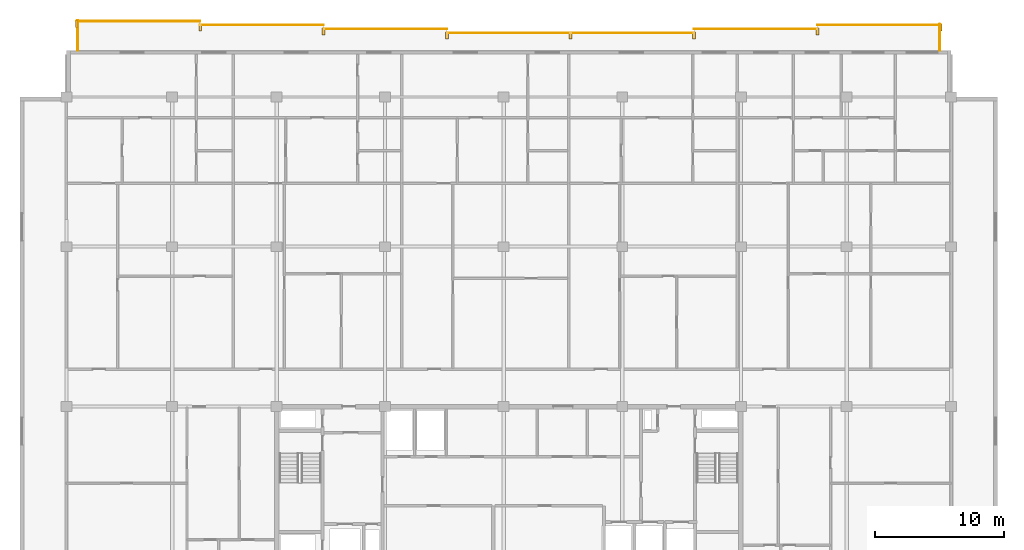
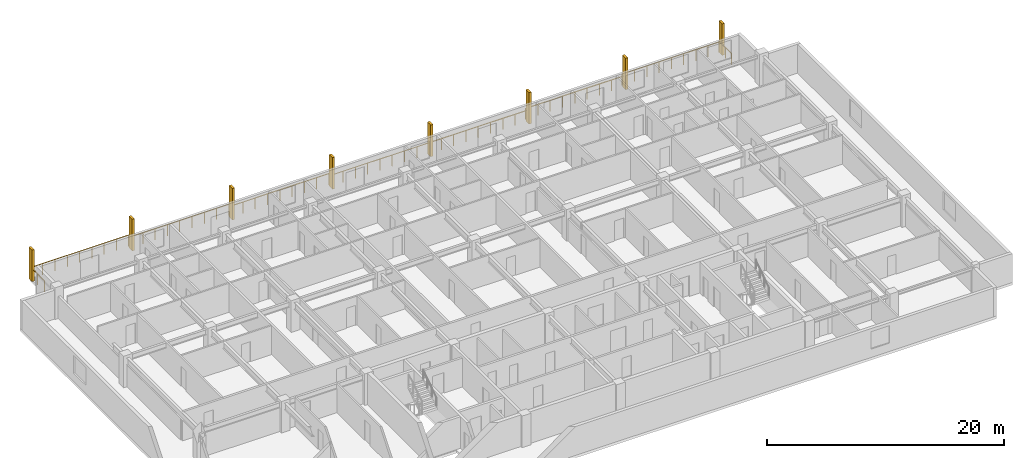
# One storey, part 42 of 42: 8 railings, 8 shading devices.
"""IFC4 building model written with IfcOpenShell, lengths in metres."""

import ifcopenshell
import ifcopenshell.guid

model = None  # the IFC model being written
_history = None  # IfcOwnerHistory: only IFC2X3 demands one
_inside = {}  # id of a spatial element -> (the spatial element, [elements in it])
_under = {}  # id of a project, library or spatial element -> (it, [spatial elements below it])
_declared = {}  # id of a project -> (the project, [libraries it declares])
_typed = {}  # id of a type object -> (the type object, [elements of that type])
_made_of = {}  # id of a material, layer set ... -> (it, [elements and type objects made of it])


def new_model(schema):
    """Start an empty IFC model of exactly this schema.

    Asked for "IFC4X3", IfcOpenShell would pick the latest addendum, in which some entities
    have other attributes; the version numbers below select the first issue.
    IFC2X3 requires an IfcOwnerHistory on every rooted entity: one is made here for all.
    """
    global model, _history
    if schema == "IFC4X3":
        model = ifcopenshell.file(schema_version=(4, 3, 0, 0))
    else:
        model = ifcopenshell.file(schema=schema)
    _inside.clear()
    _under.clear()
    _declared.clear()
    _typed.clear()
    _made_of.clear()
    _history = None
    if model.schema == "IFC2X3":
        org = make("IfcOrganization", Name="unknown")
        user = make(
            "IfcPersonAndOrganization",
            ThePerson=make("IfcPerson", FamilyName="unknown"),
            TheOrganization=org,
        )
        app = make(
            "IfcApplication",
            ApplicationDeveloper=org,
            Version="unknown",
            ApplicationFullName="unknown",
            ApplicationIdentifier="unknown",
        )
        _history = make(
            "IfcOwnerHistory",
            OwningUser=user,
            OwningApplication=app,
            ChangeAction="ADDED",
            CreationDate=0,
        )
    return model


def make(cls, **values):
    """One entity of the class cls with the attributes given. An attribute that is None is left unset."""
    return model.create_entity(
        cls, **{name: value for name, value in values.items() if value is not None}
    )


def rooted(cls, **values):
    """An entity with a GlobalId (a new one), such as an element, a storey or a relation."""
    return make(cls, GlobalId=ifcopenshell.guid.new(), OwnerHistory=_history, **values)


def si_unit(unit_type, name, prefix=None):
    """IfcSIUnit, for example si_unit("LENGTHUNIT", "METRE", prefix="MILLI")."""
    return make("IfcSIUnit", UnitType=unit_type, Prefix=prefix, Name=name)


def assignment(units):
    """IfcUnitAssignment: the units of a project."""
    return None if units is None else make("IfcUnitAssignment", Units=units)


def point(xyz):
    """IfcCartesianPoint."""
    return None if xyz is None else make("IfcCartesianPoint", Coordinates=xyz)


def direction(xyz):
    """IfcDirection."""
    return None if xyz is None else make("IfcDirection", DirectionRatios=xyz)


def frame(location, z_axis=None, x_axis=None):
    """IfcAxis2Placement3D, a coordinate frame: its origin and axes. An axis left out is left unset."""
    return make(
        "IfcAxis2Placement3D",
        Location=point(location),
        Axis=direction(z_axis),
        RefDirection=direction(x_axis),
    )


def frame_2d(location, x_axis=None):
    """IfcAxis2Placement2D, a coordinate frame in the plane: its origin and x axis."""
    return make(
        "IfcAxis2Placement2D", Location=point(location), RefDirection=direction(x_axis)
    )


def origin():
    """The frame at (0, 0, 0) with its axes left unset."""
    return frame((0.0, 0.0, 0.0))


def origin_2d():
    """The frame at (0, 0) in the plane with its x axis left unset."""
    return frame_2d((0.0, 0.0))


def place(relative_to, where):
    """IfcLocalPlacement: puts the frame where relative to a parent placement (None: the world)."""
    return make(
        "IfcLocalPlacement", PlacementRelTo=relative_to, RelativePlacement=where
    )


def context(
    kind, dimensions, precision=None, world=None, true_north=None, identifier=None
):
    """IfcGeometricRepresentationContext, for example the 3D "Model" context."""
    return make(
        "IfcGeometricRepresentationContext",
        ContextIdentifier=identifier,
        ContextType=kind,
        CoordinateSpaceDimension=dimensions,
        Precision=precision,
        WorldCoordinateSystem=world,
        TrueNorth=true_north,
    )


def subcontext(parent, identifier, kind, view, scale=None):
    """IfcGeometricRepresentationSubContext, for example "Body" below "Model"."""
    return make(
        "IfcGeometricRepresentationSubContext",
        ContextIdentifier=identifier,
        ContextType=kind,
        ParentContext=parent,
        TargetScale=scale,
        TargetView=view,
    )


def project(units=None, contexts=None):
    """IfcProject with its units and contexts."""
    return rooted(
        "IfcProject",
        Name="project",
        RepresentationContexts=contexts,
        UnitsInContext=assignment(units),
    )


def spatial(cls, under=None, at=None, **own):
    """A site, building, storey or space (cls), placed at a placement, below another one or the project."""
    s = rooted(cls, ObjectPlacement=at, **own)
    if under is not None:
        _under.setdefault(under.id(), (under, []))[1].append(s)
    return s


def profile(cls, at=None, kind="AREA", **sizes):
    """A parametric profile (cls). Its sizes go by their IFC names, for example OverallWidth=200.0."""
    return make(cls, ProfileType=kind, Position=at, **sizes)


def rectangle(**sizes):
    """IfcRectangleProfileDef."""
    return profile("IfcRectangleProfileDef", **sizes)


def circle(**sizes):
    """IfcCircleProfileDef."""
    return profile("IfcCircleProfileDef", **sizes)


def extrude(swept, where, along, depth):
    """IfcExtrudedAreaSolid: the profile swept, set in the frame where, extruded along a direction by depth."""
    return make(
        "IfcExtrudedAreaSolid",
        SweptArea=swept,
        Position=where,
        ExtrudedDirection=direction(along),
        Depth=depth,
    )


def shape(context_of_items, identifier, shape_type, items):
    """IfcShapeRepresentation: the items that make up one representation, for example the "Body"."""
    return make(
        "IfcShapeRepresentation",
        ContextOfItems=context_of_items,
        RepresentationIdentifier=identifier,
        RepresentationType=shape_type,
        Items=items,
    )


def material(Name=None, Category=None):
    """IfcMaterial."""
    return make("IfcMaterial", Name=Name, Category=Category)


def made_of(thing, what):
    """Note that an element or type object is made of a material, layer set ...; save() writes the relation."""
    if what is not None:
        _made_of.setdefault(what.id(), (what, []))[1].append(thing)
    return thing


def type_object(cls, material=None, **own):
    """A type object (cls), such as IfcWallType, which elements share."""
    return made_of(rooted(cls, **own), material)


def element(
    cls,
    number,
    at=None,
    inside=None,
    cuts=None,
    type_object=None,
    material=None,
    context=None,
    identifier="Body",
    shape_type=None,
    held_by="IfcProductDefinitionShape",
    body=None,
    shapes=None,
    **own,
):
    """One element of the class cls, such as IfcWall. Its Tag is "e" and its number.

    at: its placement. inside: the storey or other place that contains it. cuts: it is an
    opening in that element (IfcRelVoidsElement). A single representation is given by context,
    identifier, shape_type and body (its items); several are given by shapes. held_by: the class
    of the entity that holds the representations. save() writes the other relations.
    """
    e = rooted(cls, Tag="e%d" % number, ObjectPlacement=at, **own)
    if body is not None:
        shapes = [shape(context, identifier, shape_type, body)]
    if shapes is not None:
        e.Representation = make(held_by, Representations=shapes)
    if inside is not None:
        _inside.setdefault(inside.id(), (inside, []))[1].append(e)
    if cuts is not None:
        rooted(
            "IfcRelVoidsElement", RelatingBuildingElement=cuts, RelatedOpeningElement=e
        )
    if type_object is not None:
        _typed.setdefault(type_object.id(), (type_object, []))[1].append(e)
    return made_of(e, material)


def aggregate(whole, parts):
    """IfcRelAggregates: a whole, such as a stair, and the parts it consists of."""
    return rooted("IfcRelAggregates", RelatingObject=whole, RelatedObjects=parts)


def save(model, path):
    """Write the relations noted so far, then the file.

    IfcRelAggregates (storeys below a building ...), IfcRelContainedInSpatialStructure (elements
    in a storey), IfcRelDefinesByType, IfcRelAssociatesMaterial and IfcRelDeclares: one each for
    every whole, place, type object, material and project.
    """
    for whole, parts in _under.values():
        aggregate(whole, parts)
    for where, things in _inside.values():
        rooted(
            "IfcRelContainedInSpatialStructure",
            RelatedElements=things,
            RelatingStructure=where,
        )
    for kind, things in _typed.values():
        rooted("IfcRelDefinesByType", RelatedObjects=things, RelatingType=kind)
    for what, things in _made_of.values():
        rooted("IfcRelAssociatesMaterial", RelatedObjects=things, RelatingMaterial=what)
    for by, libraries in _declared.values():
        rooted("IfcRelDeclares", RelatingContext=by, RelatedDefinitions=libraries)
    model.write(path)


model = new_model("IFC4")

# Units and contexts
model_context = context("Model", 3, precision=1e-05, world=origin(), true_north=direction((0.0, 1.0)))
body_context = subcontext(model_context, "Body", "Model", "MODEL_VIEW")
ifc_project = project(units=[si_unit("LENGTHUNIT", "METRE"), si_unit("AREAUNIT", "SQUARE_METRE"), si_unit("VOLUMEUNIT", "CUBIC_METRE"), si_unit("PLANEANGLEUNIT", "RADIAN"), si_unit("MASSUNIT", "GRAM", prefix="KILO")], contexts=[model_context])

# Site, building, storey
site_placement = place(None, origin())
site = spatial("IfcSite", under=ifc_project, at=site_placement, CompositionType="ELEMENT")
building_placement = place(site_placement, origin())
building = spatial("IfcBuilding", under=site, at=building_placement, Name="Korimba Cascade Residences", CompositionType="ELEMENT")
storey_placement = place(building_placement, frame((0.0, 0.0, 207.60009765625)))
storey = spatial("IfcBuildingStorey", under=building, at=storey_placement, Name="L60", CompositionType="ELEMENT", Elevation=207.60009765625)

# Railings
ifc_material_1 = material(Name="Laminated Glass and Bronze Balustrade", Category="glass")
railing_type = type_object("IfcRailingType", Name="RLG-LOG-1150", PredefinedType="BALUSTRADE", material=ifc_material_1)
railing_1_placement = place(storey_placement, frame((127.52001953125, 94.800048828125, 0.0)))
element("IfcRailing", 1, at=railing_1_placement, inside=storey, type_object=railing_type, Name="L60 Perimeter Guardrail RLG-L60-T1-LOG-01", PredefinedType="BALUSTRADE", context=body_context, shape_type="SweptSolid", body=[
    extrude(circle(Radius=0.02392578125, at=origin_2d()), frame((0.0, 0.0, 1.1259765625), z_axis=(0.0, 1.0, 0.0), x_axis=(-1.0, 0.0, 0.0)), (0.0, 0.0, 1.0), 2.050048828125),
    extrude(circle(Radius=0.02099609375, at=origin_2d()), origin(), (0.0, 0.0, 1.0), 1.101806640625),
    extrude(circle(Radius=0.02099609375, at=origin_2d()), frame((0.0, 1.02490234375, 0.0)), (0.0, 0.0, 1.0), 1.101806640625),
    extrude(circle(Radius=0.02099609375, at=origin_2d()), frame((0.0, 2.050048828125, 0.0)), (0.0, 0.0, 1.0), 1.101806640625),
])
for number, where, name in (
    (2, (127.60009765625, 96.77001953125, 0.0), "L60 Perimeter Guardrail RLG-L60-T1-LOG-02"),
    (3, (118.028564453125, 96.469970703125, 0.0), "L60 Perimeter Guardrail RLG-L60-T1-LOG-03"),
):
    element("IfcRailing", number, at=place(storey_placement, frame(where)), inside=storey, type_object=railing_type, Name=name, PredefinedType="BALUSTRADE", context=body_context, shape_type="SweptSolid", body=[
        extrude(circle(Radius=0.02392578125, at=origin_2d()), frame((0.0, 0.0, 1.1259765625), z_axis=(-1.0, 0.0, 0.0), x_axis=(0.0, -1.0, 0.0)), (0.0, 0.0, 1.0), 9.571533203125),
        extrude(circle(Radius=0.02099609375, at=origin_2d()), origin(), (0.0, 0.0, 1.0), 1.101806640625),
        extrude(circle(Radius=0.02099609375, at=origin_2d()), frame((-1.196533203125, 0.0, 0.0)), (0.0, 0.0, 1.0), 1.101806640625),
        extrude(circle(Radius=0.02099609375, at=origin_2d()), frame((-2.392822265625, 0.0, 0.0)), (0.0, 0.0, 1.0), 1.101806640625),
        extrude(circle(Radius=0.02099609375, at=origin_2d()), frame((-3.58935546875, 0.0, 0.0)), (0.0, 0.0, 1.0), 1.101806640625),
        extrude(circle(Radius=0.02099609375, at=origin_2d()), frame((-4.78564453125, 0.0, 0.0)), (0.0, 0.0, 1.0), 1.101806640625),
        extrude(circle(Radius=0.02099609375, at=origin_2d()), frame((-5.982177734375, 0.0, 0.0)), (0.0, 0.0, 1.0), 1.101806640625),
        extrude(circle(Radius=0.02099609375, at=origin_2d()), frame((-7.1787109375, 0.0, 0.0)), (0.0, 0.0, 1.0), 1.101806640625),
        extrude(circle(Radius=0.02099609375, at=origin_2d()), frame((-8.375, 0.0, 0.0)), (0.0, 0.0, 1.0), 1.101806640625),
        extrude(circle(Radius=0.02099609375, at=origin_2d()), frame((-9.571533203125, 0.0, 0.0)), (0.0, 0.0, 1.0), 1.101806640625),
    ])
railing_2_placement = place(storey_placement, frame((108.45703125, 96.169921875, 0.0)))
element("IfcRailing", 4, at=railing_2_placement, inside=storey, type_object=railing_type, Name="L60 Perimeter Guardrail RLG-L60-T1-LOG-04", PredefinedType="BALUSTRADE", context=body_context, shape_type="SweptSolid", body=[
    extrude(circle(Radius=0.02392578125, at=origin_2d()), frame((0.0, 0.0, 1.1259765625), z_axis=(-1.0, 0.0, 0.0), x_axis=(0.0, -1.0, 0.0)), (0.0, 0.0, 1.0), 19.142822265625),
    extrude(circle(Radius=0.02099609375, at=origin_2d()), origin(), (0.0, 0.0, 1.0), 1.101806640625),
    extrude(circle(Radius=0.02099609375, at=origin_2d()), frame((-1.196533203125, 0.0, 0.0)), (0.0, 0.0, 1.0), 1.101806640625),
    extrude(circle(Radius=0.02099609375, at=origin_2d()), frame((-2.392822265625, 0.0, 0.0)), (0.0, 0.0, 1.0), 1.101806640625),
    extrude(circle(Radius=0.02099609375, at=origin_2d()), frame((-3.58935546875, 0.0, 0.0)), (0.0, 0.0, 1.0), 1.101806640625),
    extrude(circle(Radius=0.02099609375, at=origin_2d()), frame((-4.78564453125, 0.0, 0.0)), (0.0, 0.0, 1.0), 1.101806640625),
    extrude(circle(Radius=0.02099609375, at=origin_2d()), frame((-5.982177734375, 0.0, 0.0)), (0.0, 0.0, 1.0), 1.101806640625),
    extrude(circle(Radius=0.02099609375, at=origin_2d()), frame((-7.178466796875, 0.0, 0.0)), (0.0, 0.0, 1.0), 1.101806640625),
    extrude(circle(Radius=0.02099609375, at=origin_2d()), frame((-8.375, 0.0, 0.0)), (0.0, 0.0, 1.0), 1.101806640625),
    extrude(circle(Radius=0.02099609375, at=origin_2d()), frame((-9.5712890625, 0.0, 0.0)), (0.0, 0.0, 1.0), 1.101806640625),
    extrude(circle(Radius=0.02099609375, at=origin_2d()), frame((-10.767822265625, 0.0, 0.0)), (0.0, 0.0, 1.0), 1.101806640625),
    extrude(circle(Radius=0.02099609375, at=origin_2d()), frame((-11.96435546875, 0.0, 0.0)), (0.0, 0.0, 1.0), 1.101806640625),
    extrude(circle(Radius=0.02099609375, at=origin_2d()), frame((-13.16064453125, 0.0, 0.0)), (0.0, 0.0, 1.0), 1.101806640625),
    extrude(circle(Radius=0.02099609375, at=origin_2d()), frame((-14.357177734375, 0.0, 0.0)), (0.0, 0.0, 1.0), 1.101806640625),
    extrude(circle(Radius=0.02099609375, at=origin_2d()), frame((-15.553466796875, 0.0, 0.0)), (0.0, 0.0, 1.0), 1.101806640625),
    extrude(circle(Radius=0.02099609375, at=origin_2d()), frame((-16.75, 0.0, 0.0)), (0.0, 0.0, 1.0), 1.101806640625),
    extrude(circle(Radius=0.02099609375, at=origin_2d()), frame((-17.9462890625, 0.0, 0.0)), (0.0, 0.0, 1.0), 1.101806640625),
    extrude(circle(Radius=0.02099609375, at=origin_2d()), frame((-19.142822265625, 0.0, 0.0)), (0.0, 0.0, 1.0), 1.101806640625),
])
railing_3_placement = place(storey_placement, frame((89.314208984375, 96.469970703125, 0.0)))
element("IfcRailing", 5, at=railing_3_placement, inside=storey, type_object=railing_type, Name="L60 Perimeter Guardrail RLG-L60-T1-LOG-05", PredefinedType="BALUSTRADE", context=body_context, shape_type="SweptSolid", body=[
    extrude(circle(Radius=0.02392578125, at=origin_2d()), frame((0.0, 0.0, 1.1259765625), z_axis=(-1.0, 0.0, 0.0), x_axis=(0.0, -1.0, 0.0)), (0.0, 0.0, 1.0), 9.5712890625),
    extrude(circle(Radius=0.02099609375, at=origin_2d()), origin(), (0.0, 0.0, 1.0), 1.101806640625),
    extrude(circle(Radius=0.02099609375, at=origin_2d()), frame((-1.1962890625, 0.0, 0.0)), (0.0, 0.0, 1.0), 1.101806640625),
    extrude(circle(Radius=0.02099609375, at=origin_2d()), frame((-2.392822265625, 0.0, 0.0)), (0.0, 0.0, 1.0), 1.101806640625),
    extrude(circle(Radius=0.02099609375, at=origin_2d()), frame((-3.58935546875, 0.0, 0.0)), (0.0, 0.0, 1.0), 1.101806640625),
    extrude(circle(Radius=0.02099609375, at=origin_2d()), frame((-4.78564453125, 0.0, 0.0)), (0.0, 0.0, 1.0), 1.101806640625),
    extrude(circle(Radius=0.02099609375, at=origin_2d()), frame((-5.98193359375, 0.0, 0.0)), (0.0, 0.0, 1.0), 1.101806640625),
    extrude(circle(Radius=0.02099609375, at=origin_2d()), frame((-7.178466796875, 0.0, 0.0)), (0.0, 0.0, 1.0), 1.101806640625),
    extrude(circle(Radius=0.02099609375, at=origin_2d()), frame((-8.375, 0.0, 0.0)), (0.0, 0.0, 1.0), 1.101806640625),
    extrude(circle(Radius=0.02099609375, at=origin_2d()), frame((-9.5712890625, 0.0, 0.0)), (0.0, 0.0, 1.0), 1.101806640625),
])
railing_4_placement = place(storey_placement, frame((79.742919921875, 96.77001953125, 0.0)))
element("IfcRailing", 6, at=railing_4_placement, inside=storey, type_object=railing_type, Name="L60 Perimeter Guardrail RLG-L60-T1-LOG-06", PredefinedType="BALUSTRADE", context=body_context, shape_type="SweptSolid", body=[
    extrude(circle(Radius=0.02392578125, at=origin_2d()), frame((0.0, 0.0, 1.1259765625), z_axis=(-1.0, 0.0, 0.0), x_axis=(0.0, -1.0, 0.0)), (0.0, 0.0, 1.0), 9.571533203125),
    extrude(circle(Radius=0.02099609375, at=origin_2d()), origin(), (0.0, 0.0, 1.0), 1.101806640625),
    extrude(circle(Radius=0.02099609375, at=origin_2d()), frame((-1.196533203125, 0.0, 0.0)), (0.0, 0.0, 1.0), 1.101806640625),
    extrude(circle(Radius=0.02099609375, at=origin_2d()), frame((-2.392822265625, 0.0, 0.0)), (0.0, 0.0, 1.0), 1.101806640625),
    extrude(circle(Radius=0.02099609375, at=origin_2d()), frame((-3.58935546875, 0.0, 0.0)), (0.0, 0.0, 1.0), 1.101806640625),
    extrude(circle(Radius=0.02099609375, at=origin_2d()), frame((-4.78564453125, 0.0, 0.0)), (0.0, 0.0, 1.0), 1.101806640625),
    extrude(circle(Radius=0.02099609375, at=origin_2d()), frame((-5.982177734375, 0.0, 0.0)), (0.0, 0.0, 1.0), 1.101806640625),
    extrude(circle(Radius=0.02099609375, at=origin_2d()), frame((-7.1787109375, 0.0, 0.0)), (0.0, 0.0, 1.0), 1.101806640625),
    extrude(circle(Radius=0.02099609375, at=origin_2d()), frame((-8.375, 0.0, 0.0)), (0.0, 0.0, 1.0), 1.101806640625),
    extrude(circle(Radius=0.02099609375, at=origin_2d()), frame((-9.571533203125, 0.0, 0.0)), (0.0, 0.0, 1.0), 1.101806640625),
])
railing_5_placement = place(storey_placement, frame((70.17138671875, 97.070068359375, 0.0)))
element("IfcRailing", 7, at=railing_5_placement, inside=storey, type_object=railing_type, Name="L60 Perimeter Guardrail RLG-L60-T1-LOG-07", PredefinedType="BALUSTRADE", context=body_context, shape_type="SweptSolid", body=[
    extrude(circle(Radius=0.02392578125, at=origin_2d()), frame((0.0, 0.0, 1.1259765625), z_axis=(-1.0, 0.0, 0.0), x_axis=(0.0, -1.0, 0.0)), (0.0, 0.0, 1.0), 9.5712890625),
    extrude(circle(Radius=0.02099609375, at=origin_2d()), origin(), (0.0, 0.0, 1.0), 1.101806640625),
    extrude(circle(Radius=0.02099609375, at=origin_2d()), frame((-1.1962890625, 0.0, 0.0)), (0.0, 0.0, 1.0), 1.101806640625),
    extrude(circle(Radius=0.02099609375, at=origin_2d()), frame((-2.392822265625, 0.0, 0.0)), (0.0, 0.0, 1.0), 1.101806640625),
    extrude(circle(Radius=0.02099609375, at=origin_2d()), frame((-3.58935546875, 0.0, 0.0)), (0.0, 0.0, 1.0), 1.101806640625),
    extrude(circle(Radius=0.02099609375, at=origin_2d()), frame((-4.78564453125, 0.0, 0.0)), (0.0, 0.0, 1.0), 1.101806640625),
    extrude(circle(Radius=0.02099609375, at=origin_2d()), frame((-5.98193359375, 0.0, 0.0)), (0.0, 0.0, 1.0), 1.101806640625),
    extrude(circle(Radius=0.02099609375, at=origin_2d()), frame((-7.178466796875, 0.0, 0.0)), (0.0, 0.0, 1.0), 1.101806640625),
    extrude(circle(Radius=0.02099609375, at=origin_2d()), frame((-8.375, 0.0, 0.0)), (0.0, 0.0, 1.0), 1.101806640625),
    extrude(circle(Radius=0.02099609375, at=origin_2d()), frame((-9.5712890625, 0.0, 0.0)), (0.0, 0.0, 1.0), 1.101806640625),
])
railing_6_placement = place(storey_placement, frame((60.679931640625, 97.14990234375, 0.0)))
element("IfcRailing", 8, at=railing_6_placement, inside=storey, type_object=railing_type, Name="L60 Perimeter Guardrail RLG-L60-T1-LOG-08", PredefinedType="BALUSTRADE", context=body_context, shape_type="SweptSolid", body=[
    extrude(circle(Radius=0.02392578125, at=origin_2d()), frame((0.0, 0.0, 1.1259765625), z_axis=(0.0, -1.0, 0.0), x_axis=(1.0, 0.0, 0.0)), (0.0, 0.0, 1.0), 2.349853515625),
    extrude(circle(Radius=0.02099609375, at=origin_2d()), origin(), (0.0, 0.0, 1.0), 1.101806640625),
    extrude(circle(Radius=0.02099609375, at=origin_2d()), frame((0.0, -1.1748046875, 0.0)), (0.0, 0.0, 1.0), 1.101806640625),
    extrude(circle(Radius=0.02099609375, at=origin_2d()), frame((0.0, -2.349853515625, 0.0)), (0.0, 0.0, 1.0), 1.101806640625),
])

# Shading devices
ifc_material_2 = material(Name="Honed Sandstone Precast Fin", Category="masonry")
shading_device_type = type_object("IfcShadingDeviceType", Name="SHD-FIN-550", PredefinedType="USERDEFINED", material=ifc_material_2)
for number, where, z_axis, x_axis, name in (
    (9, (60.60009765625, 96.875, 0.0), (0.0, 0.0, 1.0), (1.0, 0.0, 0.0), "L60 T1 Warm-Stone Loggia Fin 1"),
    (10, (70.17138671875, 96.574951171875, 0.0), (0.0, 0.0, 1.0), (1.0, 0.0, 0.0), "L60 T1 Warm-Stone Loggia Fin 2"),
    (11, (79.742919921875, 96.27490234375, 0.0), (0.0, 0.0, 1.0), (1.0, 0.0, 0.0), "L60 T1 Warm-Stone Loggia Fin 3"),
    (12, (89.314208984375, 95.97509765625, 0.0), (0.0, 0.0, 1.0), (1.0, 0.0, 0.0), "L60 T1 Warm-Stone Loggia Fin 4"),
    (13, (98.8857421875, 95.97509765625, 0.0), (0.0, 0.0, 1.0), (1.0, 0.0, 0.0), "L60 T1 Warm-Stone Loggia Fin 5"),
    (14, (108.45703125, 95.97509765625, 0.0), (0.0, 0.0, 1.0), (1.0, 0.0, 0.0), "L60 T1 Warm-Stone Loggia Fin 6"),
    (15, (118.028564453125, 96.27490234375, 0.0), (0.0, 0.0, 1.0), (1.0, 0.0, 0.0), "L60 T1 Warm-Stone Loggia Fin 7"),
    (16, (127.60009765625, 96.574951171875, 0.0), (0.0, 0.0, 1.0), (1.0, 0.0, 0.0), "L60 T1 Warm-Stone Loggia Fin 8"),
):
    element("IfcShadingDevice", number, at=place(storey_placement, frame(where, z_axis=z_axis, x_axis=x_axis)), inside=storey, type_object=shading_device_type, Name=name, ObjectType="FIN", PredefinedType="USERDEFINED", context=body_context, shape_type="SweptSolid", body=[
        extrude(rectangle(XDim=0.219970703125, YDim=0.550048828125, at=origin_2d()), origin(), (0.0, 0.0, 1.0), 3.25),
    ])

save(model, "model.ifc")
